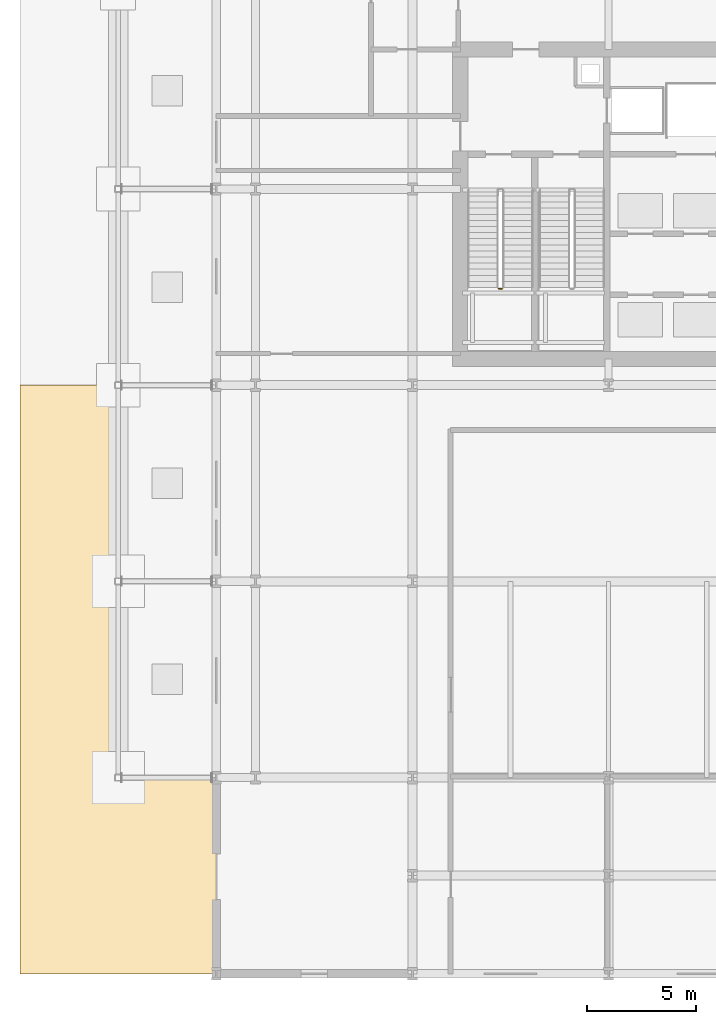
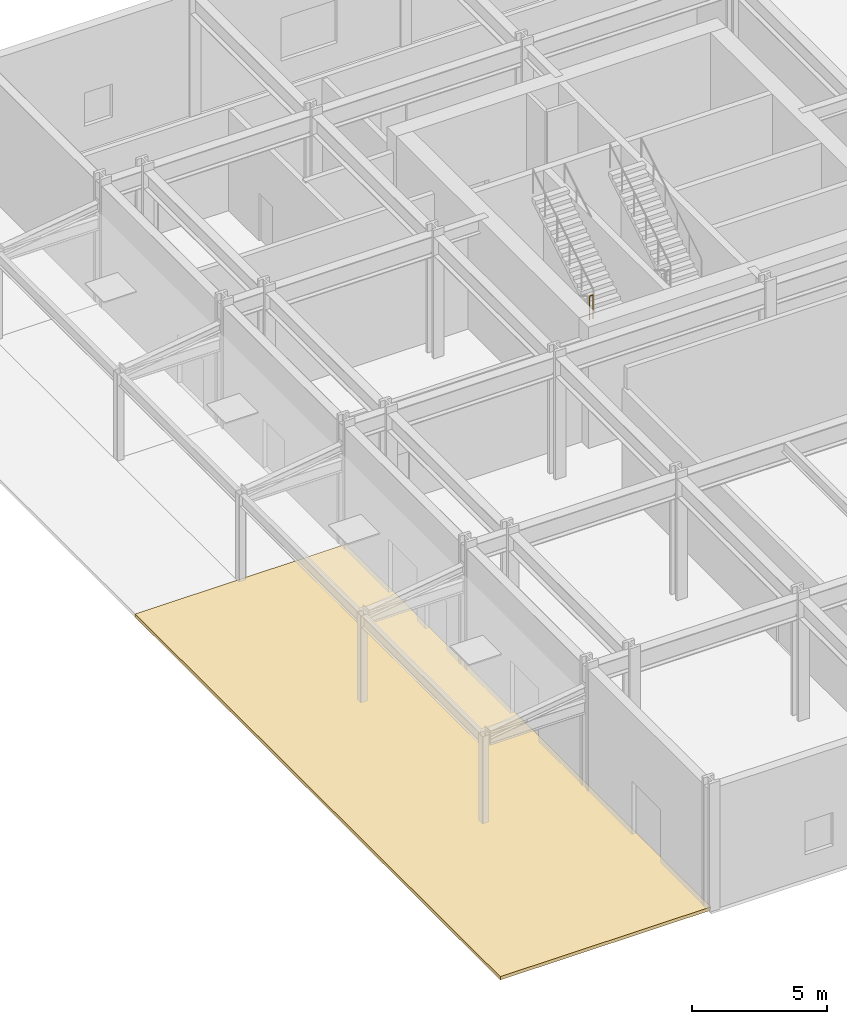
# One storey, part 14 of 19: 1 covering, 1 railing.
"""IFC4 building model written with IfcOpenShell, lengths in metres."""

from ifc_helpers import new_model, si_unit, direction, frame, origin, origin_2d, place, context, subcontext, project, spatial, polyline, circle, outline, extrude, material, layer, layer_set, type_object, element, save


model = new_model("IFC4")

# Units and contexts
model_context = context("Model", 3, precision=1e-05, world=origin(), true_north=direction((0.0, 1.0)))
body_context = subcontext(model_context, "Body", "Model", "MODEL_VIEW")
ifc_project = project(units=[si_unit("LENGTHUNIT", "METRE"), si_unit("AREAUNIT", "SQUARE_METRE"), si_unit("VOLUMEUNIT", "CUBIC_METRE"), si_unit("PLANEANGLEUNIT", "RADIAN"), si_unit("MASSUNIT", "GRAM", prefix="KILO")], contexts=[model_context])

# Site, building, storey
site_placement = place(None, origin())
site = spatial("IfcSite", under=ifc_project, at=site_placement, CompositionType="ELEMENT")
building_placement = place(site_placement, origin())
building = spatial("IfcBuilding", under=site, at=building_placement, Name="Solvaryn Broadcast Tower", CompositionType="ELEMENT")
storey_placement = place(building_placement, origin())
storey = spatial("IfcBuildingStorey", under=building, at=storey_placement, Name="L00", CompositionType="ELEMENT", Elevation=0.0)

# Covering
ifc_material_1 = material(Name="Concrete f'c 50 MPa", Category="concrete")
ifc_layer = layer(ifc_material_1, 0.14990234375)
ifc_layer_set = layer_set([ifc_layer], Name="CV-PLAZA-PAVING")
covering_type = type_object("IfcCoveringType", Name="CV-PLAZA-PAVING", PredefinedType="USERDEFINED", material=ifc_layer_set)
covering_placement = place(storey_placement, frame((0.0, 0.0, -0.14990234375)))
element("IfcCovering", 1, at=covering_placement, inside=storey, type_object=covering_type, Name="Street Landscape Plaza Paving PLAZA-WEST-1", ObjectType="PAVING", PredefinedType="USERDEFINED", context=body_context, shape_type="SweptSolid", body=[
    extrude(outline(polyline([(-9.0, 0.0), (0.0, 0.0), (0.0, 27.0), (-9.0, 27.0), (-9.0, 0.0)])), origin(), (0.0, 0.0, 1.0), 0.14990234375),
])

# Railing
ifc_material_2 = material(Name="Painted Steel Stair Well Guard", Category="steel")
railing_type = type_object("IfcRailingType", Name="RL-STAIR-GUARD", PredefinedType="BALUSTRADE", material=ifc_material_2)
railing_placement = place(storey_placement, frame((12.9599609375, 31.429931640625, 2.89990234375)))
element("IfcRailing", 2, at=railing_placement, inside=storey, type_object=railing_type, Name="L00 ST1 stair guard 2", PredefinedType="BALUSTRADE", context=body_context, shape_type="SweptSolid", body=[
    extrude(circle(Radius=0.02392578125, at=origin_2d()), frame((0.0, 0.0, 1.076171875), z_axis=(1.0, 0.0, 0.0), x_axis=(0.0, 1.0, 0.0)), (0.0, 0.0, 1.0), 0.150146484375),
    extrude(circle(Radius=0.02099609375, at=origin_2d()), origin(), (0.0, 0.0, 1.0), 1.052001953125),
    extrude(circle(Radius=0.02099609375, at=origin_2d()), frame((0.150146484375, 0.0, 0.0)), (0.0, 0.0, 1.0), 1.052001953125),
])

save(model, "model.ifc")
